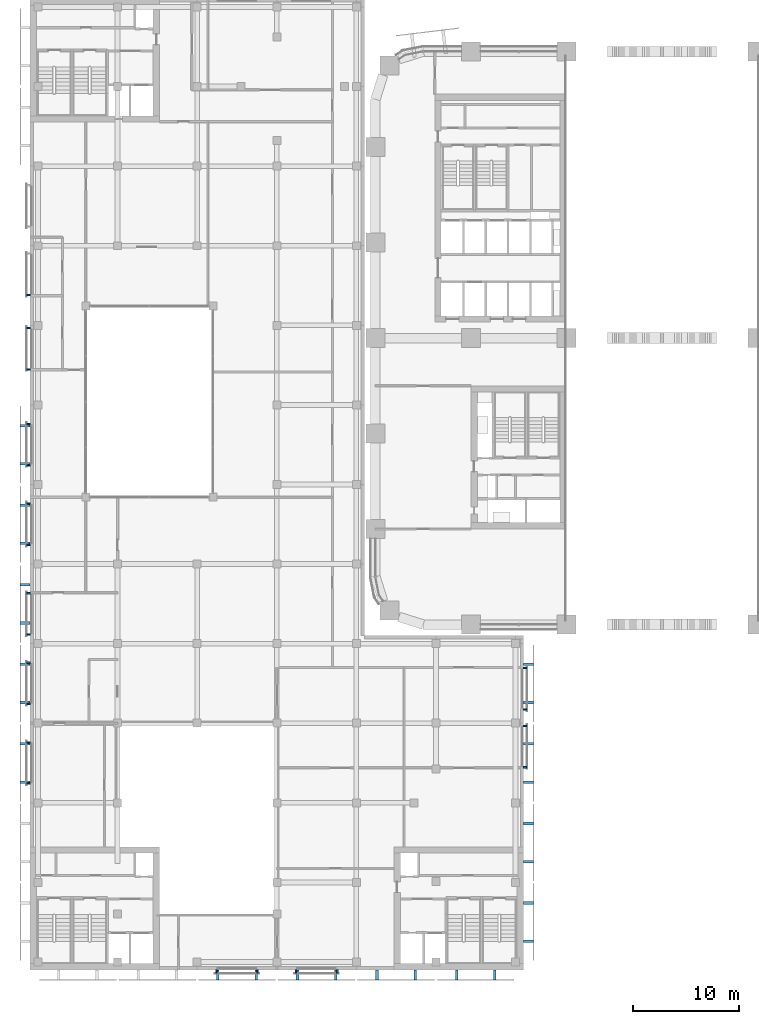
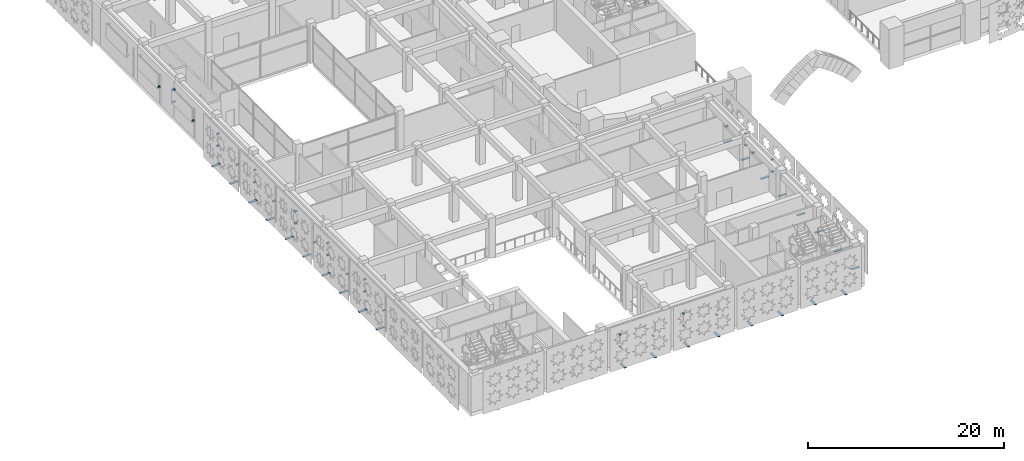
# One storey, part 26 of 40: 57 discrete accessories.
"""IFC4 building model written with IfcOpenShell, lengths in metres."""

from ifc_helpers import new_model, si_unit, direction, frame, origin, origin_2d, place, context, subcontext, project, spatial, rectangle, extrude, element, save


model = new_model("IFC4")

# Units and contexts
model_context = context("Model", 3, precision=1e-05, world=origin(), true_north=direction((0.0, 1.0)))
body_context = subcontext(model_context, "Body", "Model", "MODEL_VIEW")
ifc_project = project(units=[si_unit("LENGTHUNIT", "METRE"), si_unit("AREAUNIT", "SQUARE_METRE"), si_unit("VOLUMEUNIT", "CUBIC_METRE"), si_unit("PLANEANGLEUNIT", "RADIAN"), si_unit("MASSUNIT", "GRAM", prefix="KILO")], contexts=[model_context])

# Site, building, storey
site_placement = place(None, origin())
site = spatial("IfcSite", under=ifc_project, at=site_placement, CompositionType="ELEMENT")
building_placement = place(site_placement, origin())
building = spatial("IfcBuilding", under=site, at=building_placement, Name="Tessera Arch", CompositionType="ELEMENT")
storey_placement = place(building_placement, frame((0.0, 0.0, 21.0)))
storey = spatial("IfcBuildingStorey", under=building, at=storey_placement, Name="L03", CompositionType="ELEMENT", Elevation=21.0)

# Discrete accessories
for number, where, z_axis, x_axis, name in (
    (1, (-15.0, -32.699951171875, 2.175048828125), (0.0, 0.0, 1.0), (0.0, -1.0, 0.0), "Screen bracket"),
    (2, (-11.10009765625, -32.699951171875, 2.175048828125), (0.0, 0.0, 1.0), (0.0, -1.0, 0.0), "Screen bracket"),
    (3, (-15.0, -32.699951171875, 3.675048828125), (0.0, 0.0, 1.0), (0.0, -1.0, 0.0), "Screen bracket"),
    (4, (-7.5, -32.699951171875, 2.175048828125), (0.0, 0.0, 1.0), (0.0, -1.0, 0.0), "Screen bracket"),
    (5, (-3.60009765625, -32.699951171875, 2.175048828125), (0.0, 0.0, 1.0), (0.0, -1.0, 0.0), "Screen bracket"),
    (6, (-7.5, -32.699951171875, 3.675048828125), (0.0, 0.0, 1.0), (0.0, -1.0, 0.0), "Screen bracket"),
    (7, (14.10009765625, -13.449951171875, 2.175048828125), (0.0, 0.0, 1.0), (1.0, 0.0, 0.0), "Screen bracket"),
    (8, (14.10009765625, -9.550048828125, 2.175048828125), (0.0, 0.0, 1.0), (1.0, 0.0, 0.0), "Screen bracket"),
    (9, (14.10009765625, -13.449951171875, 3.675048828125), (0.0, 0.0, 1.0), (1.0, 0.0, 0.0), "Screen bracket"),
    (10, (14.10009765625, -8.0, 2.175048828125), (0.0, 0.0, 1.0), (1.0, 0.0, 0.0), "Screen bracket"),
    (11, (14.10009765625, -4.10009765625, 2.175048828125), (0.0, 0.0, 1.0), (1.0, 0.0, 0.0), "Screen bracket"),
    (12, (14.10009765625, -8.0, 3.675048828125), (0.0, 0.0, 1.0), (1.0, 0.0, 0.0), "Screen bracket"),
    (13, (-32.699951171875, 31.050048828125, 2.175048828125), (0.0, 0.0, 1.0), (-1.0, 0.0, 0.0), "Screen bracket"),
    (14, (-32.699951171875, 27.949951171875, 2.175048828125), (0.0, 0.0, 1.0), (-1.0, 0.0, 0.0), "Screen bracket"),
    (15, (-32.699951171875, 24.050048828125, 2.175048828125), (0.0, 0.0, 1.0), (-1.0, 0.0, 0.0), "Screen bracket"),
    (16, (-32.699951171875, 27.949951171875, 3.675048828125), (0.0, 0.0, 1.0), (-1.0, 0.0, 0.0), "Screen bracket"),
    (17, (-32.699951171875, 18.89990234375, 2.175048828125), (0.0, 0.0, 1.0), (-1.0, 0.0, 0.0), "Screen bracket"),
    (18, (-32.699951171875, 15.0, 2.175048828125), (0.0, 0.0, 1.0), (-1.0, 0.0, 0.0), "Screen bracket"),
    (19, (-32.699951171875, 18.89990234375, 3.675048828125), (0.0, 0.0, 1.0), (-1.0, 0.0, 0.0), "Screen bracket"),
    (20, (-32.699951171875, 11.39990234375, 2.175048828125), (0.0, 0.0, 1.0), (-1.0, 0.0, 0.0), "Screen bracket"),
    (21, (-32.699951171875, 7.5, 2.175048828125), (0.0, 0.0, 1.0), (-1.0, 0.0, 0.0), "Screen bracket"),
    (22, (-32.699951171875, 11.39990234375, 3.675048828125), (0.0, 0.0, 1.0), (-1.0, 0.0, 0.0), "Screen bracket"),
    (23, (-32.699951171875, 2.949951171875, 2.175048828125), (0.0, 0.0, 1.0), (-1.0, 0.0, 0.0), "Screen bracket"),
    (24, (-32.699951171875, -0.949951171875, 2.175048828125), (0.0, 0.0, 1.0), (-1.0, 0.0, 0.0), "Screen bracket"),
    (25, (-32.699951171875, 2.949951171875, 3.675048828125), (0.0, 0.0, 1.0), (-1.0, 0.0, 0.0), "Screen bracket"),
    (26, (-32.699951171875, -3.60009765625, 2.175048828125), (0.0, 0.0, 1.0), (-1.0, 0.0, 0.0), "Screen bracket"),
    (27, (-32.699951171875, -7.5, 2.175048828125), (0.0, 0.0, 1.0), (-1.0, 0.0, 0.0), "Screen bracket"),
    (28, (-32.699951171875, -3.60009765625, 3.675048828125), (0.0, 0.0, 1.0), (-1.0, 0.0, 0.0), "Screen bracket"),
    (29, (-32.699951171875, -11.10009765625, 2.175048828125), (0.0, 0.0, 1.0), (-1.0, 0.0, 0.0), "Screen bracket"),
    (30, (-32.699951171875, -15.0, 2.175048828125), (0.0, 0.0, 1.0), (-1.0, 0.0, 0.0), "Screen bracket"),
    (31, (-32.699951171875, -11.10009765625, 3.675048828125), (0.0, 0.0, 1.0), (-1.0, 0.0, 0.0), "Screen bracket"),
):
    element("IfcDiscreteAccessory", number, at=place(storey_placement, frame(where, z_axis=z_axis, x_axis=x_axis)), inside=storey, Name=name, PredefinedType="BRACKET", context=body_context, shape_type="SweptSolid", body=[
        extrude(rectangle(XDim=0.300048828125, YDim=0.14990234375, at=origin_2d()), origin(), (0.0, 0.0, 1.0), 0.14990234375),
    ])
for number, where, z_axis, x_axis, name in (
    (32, (-14.85009765625, -33.02490234375, 0.0), (0.0, 0.0, 1.0), (0.0, -1.0, 0.0), "Screen panel bracket"),
    (33, (-11.25, -33.02490234375, 0.0), (0.0, 0.0, 1.0), (0.0, -1.0, 0.0), "Screen panel bracket"),
    (34, (-7.35009765625, -33.02490234375, 0.0), (0.0, 0.0, 1.0), (0.0, -1.0, 0.0), "Screen panel bracket"),
    (35, (-3.75, -33.02490234375, 0.0), (0.0, 0.0, 1.0), (0.0, -1.0, 0.0), "Screen panel bracket"),
    (36, (0.14990234375, -33.02490234375, 0.0), (0.0, 0.0, 1.0), (0.0, -1.0, 0.0), "Screen panel bracket"),
    (37, (3.75, -33.02490234375, 0.0), (0.0, 0.0, 1.0), (0.0, -1.0, 0.0), "Screen panel bracket"),
    (38, (7.64990234375, -33.02490234375, 0.0), (0.0, 0.0, 1.0), (0.0, -1.0, 0.0), "Screen panel bracket"),
    (39, (11.25, -33.02490234375, 0.0), (0.0, 0.0, 1.0), (0.0, -1.0, 0.0), "Screen panel bracket"),
    (40, (14.425048828125, -29.85009765625, 0.0), (0.0, 0.0, 1.0), (1.0, 0.0, 0.0), "Screen panel bracket"),
    (41, (14.425048828125, -26.25, 0.0), (0.0, 0.0, 1.0), (1.0, 0.0, 0.0), "Screen panel bracket"),
    (42, (14.425048828125, -22.35009765625, 0.0), (0.0, 0.0, 1.0), (1.0, 0.0, 0.0), "Screen panel bracket"),
    (43, (14.425048828125, -18.75, 0.0), (0.0, 0.0, 1.0), (1.0, 0.0, 0.0), "Screen panel bracket"),
    (44, (14.425048828125, -14.85009765625, 0.0), (0.0, 0.0, 1.0), (1.0, 0.0, 0.0), "Screen panel bracket"),
    (45, (14.425048828125, -11.25, 0.0), (0.0, 0.0, 1.0), (1.0, 0.0, 0.0), "Screen panel bracket"),
    (46, (14.425048828125, -7.35009765625, 0.0), (0.0, 0.0, 1.0), (1.0, 0.0, 0.0), "Screen panel bracket"),
    (47, (14.425048828125, -3.75, 0.0), (0.0, 0.0, 1.0), (1.0, 0.0, 0.0), "Screen panel bracket"),
    (48, (-33.02490234375, 18.75, 0.0), (0.0, 0.0, 1.0), (-1.0, 0.0, 0.0), "Screen panel bracket"),
    (49, (-33.02490234375, 15.14990234375, 0.0), (0.0, 0.0, 1.0), (-1.0, 0.0, 0.0), "Screen panel bracket"),
    (50, (-33.02490234375, 11.25, 0.0), (0.0, 0.0, 1.0), (-1.0, 0.0, 0.0), "Screen panel bracket"),
    (51, (-33.02490234375, 7.64990234375, 0.0), (0.0, 0.0, 1.0), (-1.0, 0.0, 0.0), "Screen panel bracket"),
    (52, (-33.02490234375, 3.75, 0.0), (0.0, 0.0, 1.0), (-1.0, 0.0, 0.0), "Screen panel bracket"),
    (53, (-33.02490234375, 0.14990234375, 0.0), (0.0, 0.0, 1.0), (-1.0, 0.0, 0.0), "Screen panel bracket"),
    (54, (-33.02490234375, -3.75, 0.0), (0.0, 0.0, 1.0), (-1.0, 0.0, 0.0), "Screen panel bracket"),
    (55, (-33.02490234375, -7.35009765625, 0.0), (0.0, 0.0, 1.0), (-1.0, 0.0, 0.0), "Screen panel bracket"),
    (56, (-33.02490234375, -11.25, 0.0), (0.0, 0.0, 1.0), (-1.0, 0.0, 0.0), "Screen panel bracket"),
    (57, (-33.02490234375, -14.85009765625, 0.0), (0.0, 0.0, 1.0), (-1.0, 0.0, 0.0), "Screen panel bracket"),
):
    element("IfcDiscreteAccessory", number, at=place(storey_placement, frame(where, z_axis=z_axis, x_axis=x_axis)), inside=storey, Name=name, PredefinedType="BRACKET", context=body_context, shape_type="SweptSolid", body=[
        extrude(rectangle(XDim=0.949951171875, YDim=0.25, at=origin_2d()), origin(), (0.0, 0.0, 1.0), 0.10009765625),
    ])

save(model, "model.ifc")
